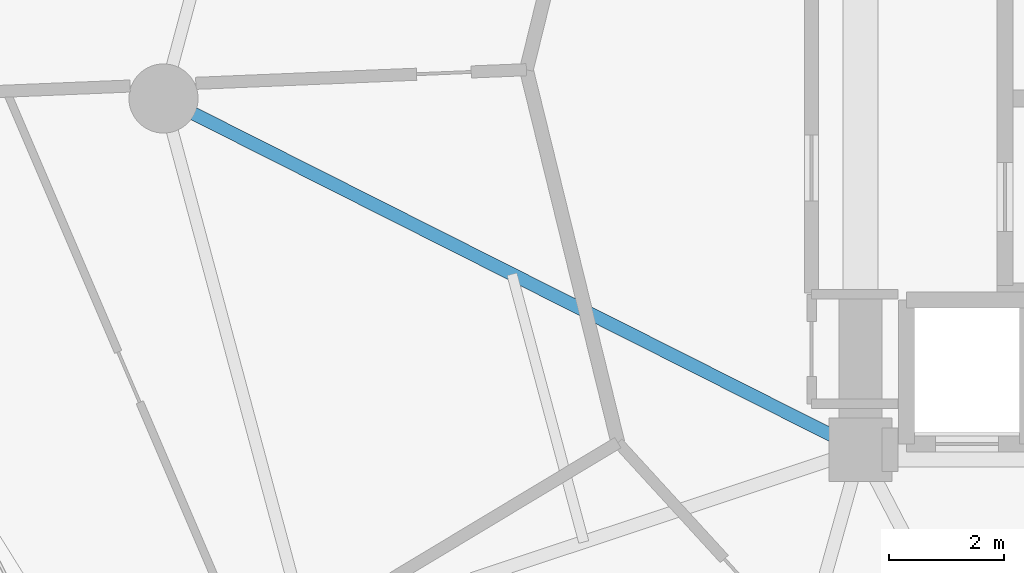
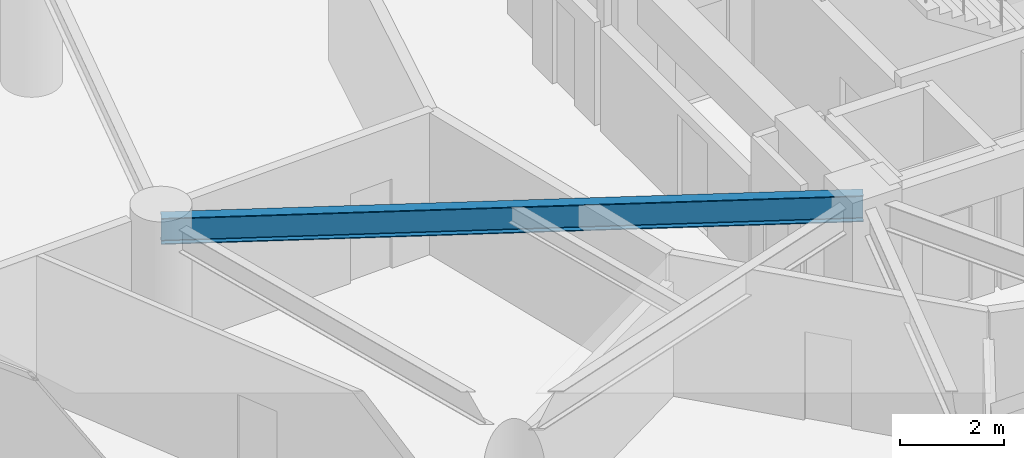
# One storey, part 5 of 24: 1 beam.
"""IFC4 building model written with IfcOpenShell, lengths in metres."""

from ifc_helpers import new_model, si_unit, direction, frame, origin, origin_2d, place, context, subcontext, project, spatial, i_section, extrude, material, material_profile, profile_set, type_object, element, save


model = new_model("IFC4")

# Units and contexts
model_context = context("Model", 3, precision=1e-05, world=origin(), true_north=direction((0.0, 1.0)))
body_context = subcontext(model_context, "Body", "Model", "MODEL_VIEW")
ifc_project = project(units=[si_unit("LENGTHUNIT", "METRE"), si_unit("AREAUNIT", "SQUARE_METRE"), si_unit("VOLUMEUNIT", "CUBIC_METRE"), si_unit("PLANEANGLEUNIT", "RADIAN"), si_unit("MASSUNIT", "GRAM", prefix="KILO")], contexts=[model_context])

# Site, building, storey
site_placement = place(None, origin())
site = spatial("IfcSite", under=ifc_project, at=site_placement, CompositionType="ELEMENT")
building_placement = place(site_placement, origin())
building = spatial("IfcBuilding", under=site, at=building_placement, Name="Solvirekh Grand Hotel", CompositionType="ELEMENT")
storey_placement = place(building_placement, frame((0.0, 0.0, 86.0)))
storey = spatial("IfcBuildingStorey", under=building, at=storey_placement, Name="L21", CompositionType="ELEMENT", Elevation=86.0)

# Beam
ifc_material = material(Name="Steel S355", Category="steel")
ifc_material_profile = material_profile(ifc_material, i_section(OverallWidth=0.22802734375, OverallDepth=0.616943359375, WebThickness=0.012939453125, FlangeThickness=0.02001953125, FilletRadius=0.014892578125, at=origin_2d()), Name="W610X140")
ifc_profile_set = profile_set([ifc_material_profile], Name="Steel S355")
beam_type = type_object("IfcBeamType", Name="Beam_Radial_W610", PredefinedType="BEAM", material=ifc_profile_set)
beam_placement = place(storey_placement, frame((-6.5, -6.10009765625, 3.031982421875), z_axis=(-0.892944939011, 0.450165898191, 0.0), x_axis=(-0.450165898191, -0.892944939011, 0.0)))
element("IfcBeam", 1, at=beam_placement, inside=storey, type_object=beam_type, Name="L21 radial floor beam R07", PredefinedType="BEAM", context=body_context, shape_type="SweptSolid", body=[
    extrude(i_section(OverallWidth=0.22802734375, OverallDepth=0.616943359375, WebThickness=0.012939453125, FlangeThickness=0.02001953125, FilletRadius=0.014892578125, at=origin_2d()), origin(), (0.0, 0.0, 1.0), 13.55078125),
])

save(model, "model.ifc")
